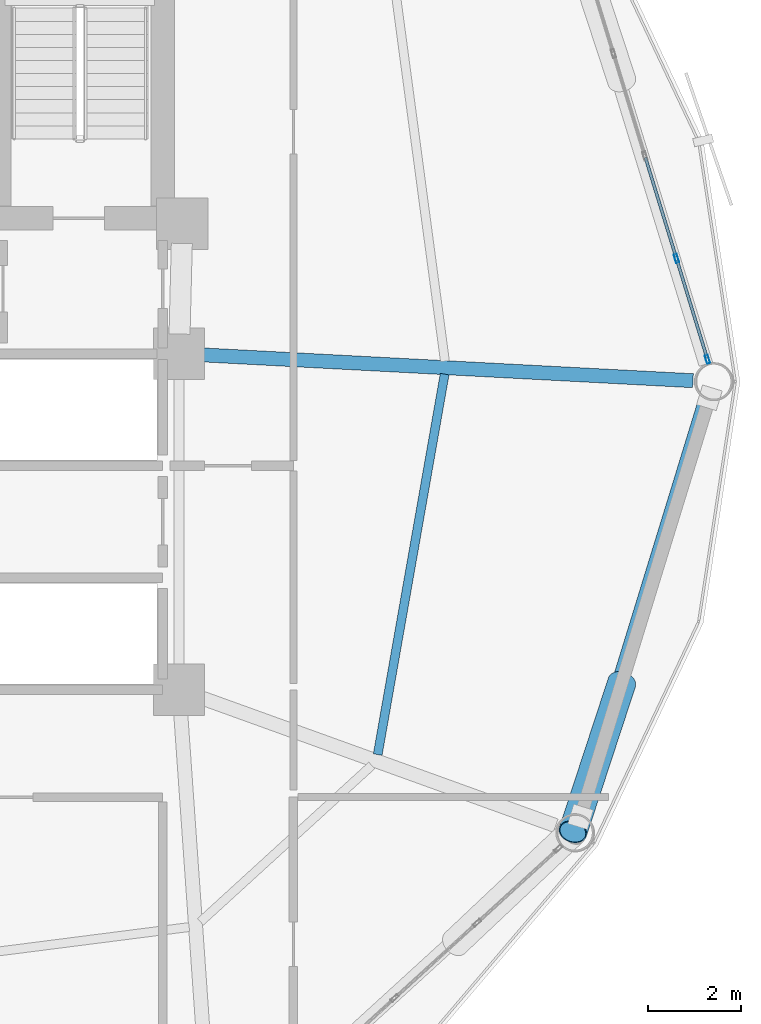
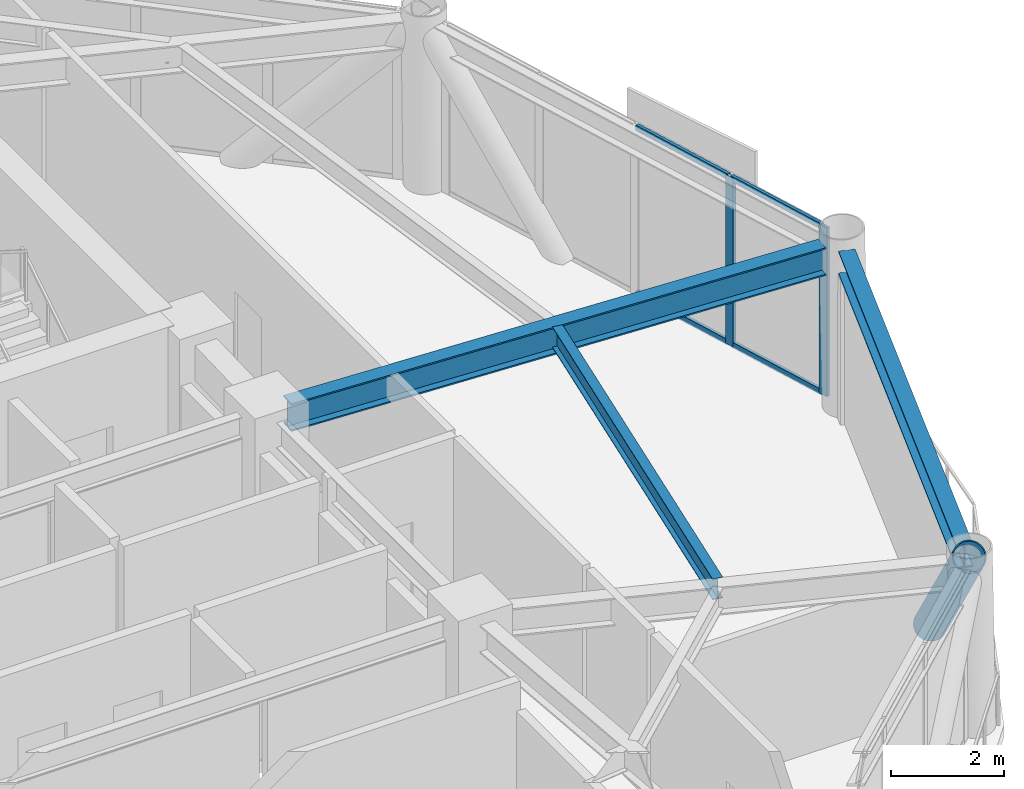
# One storey, part 13 of 24: 7 members, 3 beams, 1 element without a shape of its own.
"""IFC4 building model written with IfcOpenShell, lengths in metres."""

from ifc_helpers import new_model, si_unit, direction, frame, origin, origin_2d, place, context, subcontext, project, spatial, hollow_rectangle, hollow_circle, i_section, extrude, material, layer, layer_set, material_profile, profile_set, type_object, element, aggregate, save


model = new_model("IFC4")

# Units and contexts
model_context = context("Model", 3, precision=1e-05, world=origin(), true_north=direction((0.0, 1.0)))
body_context = subcontext(model_context, "Body", "Model", "MODEL_VIEW")
ifc_project = project(units=[si_unit("LENGTHUNIT", "METRE"), si_unit("AREAUNIT", "SQUARE_METRE"), si_unit("VOLUMEUNIT", "CUBIC_METRE"), si_unit("PLANEANGLEUNIT", "RADIAN"), si_unit("MASSUNIT", "GRAM", prefix="KILO")], contexts=[model_context])

# Site, building, storey
site_placement = place(None, origin())
site = spatial("IfcSite", under=ifc_project, at=site_placement, CompositionType="ELEMENT")
building_placement = place(site_placement, origin())
building = spatial("IfcBuilding", under=site, at=building_placement, Name="Varnakorn Sky Granary", CompositionType="ELEMENT")
storey_placement = place(building_placement, frame((0.0, 0.0, 118.800048828125)))
storey = spatial("IfcBuildingStorey", under=building, at=storey_placement, Name="L29", CompositionType="ELEMENT", Elevation=118.800048828125)

# Beams
ifc_material_1 = material(Name="Steel S355JR", Category="steel")
ifc_material_profile_1 = material_profile(ifc_material_1, i_section(OverallWidth=0.300048828125, OverallDepth=0.60009765625, WebThickness=0.015380859375, FlangeThickness=0.030029296875, at=origin_2d()), Name="HE 600 B")
ifc_profile_set_1 = profile_set([ifc_material_profile_1], Name="Steel S355JR")
beam_type_1 = type_object("IfcBeamType", Name="BM-RAD-Z2", PredefinedType="BEAM", material=ifc_profile_set_1)
beam_1_placement = place(storey_placement, frame((8.769287109375, 0.577880859375, 3.33984375), z_axis=(0.998617702131, -0.05256124989, 0.0), x_axis=(0.05256124989, 0.998617702131, 0.0)))
element("IfcBeam", 1, at=beam_1_placement, inside=storey, type_object=beam_type_1, Name="Radial Floor Girder RG01 L29", PredefinedType="BEAM", context=body_context, shape_type="SweptSolid", body=[
    extrude(i_section(OverallWidth=0.300048828125, OverallDepth=0.60009765625, WebThickness=0.015380859375, FlangeThickness=0.030029296875, at=origin_2d()), origin(), (0.0, 0.0, 1.0), 10.604248046875),
])
ifc_material_profile_2 = material_profile(ifc_material_1, i_section(OverallWidth=0.18994140625, OverallDepth=0.449951171875, WebThickness=0.009521484375, FlangeThickness=0.0146484375, at=origin_2d()), Name="IPE 450")
ifc_profile_set_2 = profile_set([ifc_material_profile_2], Name="Steel S355JR")
beam_type_2 = type_object("IfcBeamType", Name="BM-SEC-Z2", PredefinedType="BEAM", material=ifc_profile_set_2)
beam_2_placement = place(storey_placement, frame((12.605712890625, -7.988525390625, 3.4150390625), z_axis=(0.17330059251, 0.984868978411, 0.0), x_axis=(-0.984868978411, 0.17330059251, 0.0)))
element("IfcBeam", 2, at=beam_2_placement, inside=storey, type_object=beam_type_2, Name="Secondary Floor Chord Beam MSB12 L29", PredefinedType="BEAM", context=body_context, shape_type="SweptSolid", body=[
    extrude(i_section(OverallWidth=0.18994140625, OverallDepth=0.449951171875, WebThickness=0.009521484375, FlangeThickness=0.0146484375, at=origin_2d()), origin(), (0.0, 0.0, 1.0), 8.275146484375),
])
ifc_material_profile_3 = material_profile(ifc_material_1, i_section(OverallWidth=0.300048828125, OverallDepth=0.5, WebThickness=0.014404296875, FlangeThickness=0.028076171875, at=origin_2d()), Name="HE 500 B")
ifc_profile_set_3 = profile_set([ifc_material_profile_3], Name="Steel S355JR")
beam_type_3 = type_object("IfcBeamType", Name="BM-SPD-Z2", PredefinedType="SPANDREL", material=ifc_profile_set_3)
beam_3_placement = place(storey_placement, frame((16.901123046875, -9.268798828125, 3.389892578125), z_axis=(0.293801908991, 0.955866328664, 0.0), x_axis=(-0.955866328664, 0.293801908991, 0.0)))
element("IfcBeam", 3, at=beam_3_placement, inside=storey, type_object=beam_type_3, Name="Perimeter Spandrel Ring Beam RB12 L29", PredefinedType="SPANDREL", context=body_context, shape_type="SweptSolid", body=[
    extrude(i_section(OverallWidth=0.300048828125, OverallDepth=0.5, WebThickness=0.014404296875, FlangeThickness=0.028076171875, at=origin_2d()), origin(), (0.0, 0.0, 1.0), 9.30517578125),
])

# Curtain wall, members
ifc_material_2 = material(Name="Anodised Bronze Aluminium Alloy 6063-T6", Category="aluminium")
ifc_layer = layer(ifc_material_2, 0.179931640625, Name="Anodised Bronze Aluminium Alloy 6063-T6")
ifc_layer_set = layer_set([ifc_layer], Name="Anodised Bronze Aluminium Alloy 6063-T6")
curtain_wall_type = type_object("IfcCurtainWallType", Name="CW-FRM-2", PredefinedType="USERDEFINED", material=ifc_layer_set)
curtain_wall_placement = place(storey_placement, origin())
curtain_wall = element("IfcCurtainWall", 4, at=curtain_wall_placement, inside=storey, type_object=curtain_wall_type, Name="Unitised Curtain Wall CW4 CW-L29-B01", ObjectType="CURTAIN WALL", PredefinedType="USERDEFINED")
ifc_material_profile_4 = material_profile(ifc_material_2, hollow_rectangle(XDim=0.070068359375, YDim=0.18505859375, WallThickness=0.00390625, at=origin_2d()), Name="ALU MULL 70x185")
ifc_profile_set_4 = profile_set([ifc_material_profile_4], Name="Anodised Bronze Aluminium Alloy 6063-T6")
member_type_1 = type_object("IfcMemberType", Name="CW-FRM-2-MULL", PredefinedType="MULLION", material=ifc_profile_set_4)
member_1_placement = place(storey_placement, frame((19.00537109375, 2.6396484375, 0.0), z_axis=(0.0, 0.0, 1.0), x_axis=(0.955823744525, 0.293940418116, 0.0)))
member_1 = element("IfcMember", 5, at=member_1_placement, type_object=member_type_1, Name="CW4 mullion 4", PredefinedType="MULLION", context=body_context, shape_type="SweptSolid", body=[
    extrude(hollow_rectangle(XDim=0.070068359375, YDim=0.18505859375, WallThickness=0.00390625, at=origin_2d()), origin(), (0.0, 0.0, 1.0), 3.639892578125),
])
member_2_placement = place(storey_placement, frame((19.669677734375, 0.479248046875, 0.0), z_axis=(0.0, 0.0, 1.0), x_axis=(0.955823744525, 0.293940418116, 0.0)))
member_2 = element("IfcMember", 6, at=member_2_placement, type_object=member_type_1, Name="CW4 mullion 5", PredefinedType="MULLION", context=body_context, shape_type="SweptSolid", body=[
    extrude(hollow_rectangle(XDim=0.070068359375, YDim=0.18505859375, WallThickness=0.00390625, at=origin_2d()), origin(), (0.0, 0.0, 1.0), 3.639892578125),
])
ifc_material_profile_5 = material_profile(ifc_material_2, hollow_rectangle(XDim=0.06494140625, YDim=0.1201171875, WallThickness=0.00341796875, at=origin_2d()), Name="ALU TRAN 65x120")
ifc_profile_set_5 = profile_set([ifc_material_profile_5], Name="Anodised Bronze Aluminium Alloy 6063-T6")
member_type_2 = type_object("IfcMemberType", Name="CW-FRM-2-TRAN", PredefinedType="USERDEFINED", material=ifc_profile_set_5)
member_3_placement = place(storey_placement, frame((18.3408203125, 4.800048828125, 0.032470703125), z_axis=(0.293923942262, -0.955828811119, 0.0), x_axis=(0.955828811119, 0.293923942262, 0.0)))
member_3 = element("IfcMember", 7, at=member_3_placement, type_object=member_type_2, Name="CW4 transom 3.1", ObjectType="TRANSOM", PredefinedType="USERDEFINED", context=body_context, shape_type="SweptSolid", body=[
    extrude(hollow_rectangle(XDim=0.06494140625, YDim=0.1201171875, WallThickness=0.00341796875, at=origin_2d()), origin(), (0.0, 0.0, 1.0), 2.225341796875),
])
member_4_placement = place(storey_placement, frame((18.3408203125, 4.800048828125, 3.607421875), z_axis=(0.293923942262, -0.955828811119, 0.0), x_axis=(0.955828811119, 0.293923942262, 0.0)))
member_4 = element("IfcMember", 8, at=member_4_placement, type_object=member_type_2, Name="CW4 transom 3.2", ObjectType="TRANSOM", PredefinedType="USERDEFINED", context=body_context, shape_type="SweptSolid", body=[
    extrude(hollow_rectangle(XDim=0.06494140625, YDim=0.1201171875, WallThickness=0.00341796875, at=origin_2d()), origin(), (0.0, 0.0, 1.0), 2.225341796875),
])
member_5_placement = place(storey_placement, frame((19.015625, 2.606201171875, 0.032470703125), z_axis=(0.293937022502, -0.955824788757, 0.0), x_axis=(0.955824788757, 0.293937022502, 0.0)))
member_5 = element("IfcMember", 9, at=member_5_placement, type_object=member_type_2, Name="CW4 transom 4.1", ObjectType="TRANSOM", PredefinedType="USERDEFINED", context=body_context, shape_type="SweptSolid", body=[
    extrude(hollow_rectangle(XDim=0.06494140625, YDim=0.1201171875, WallThickness=0.00341796875, at=origin_2d()), origin(), (0.0, 0.0, 1.0), 2.190185546875),
])
member_6_placement = place(storey_placement, frame((19.015625, 2.606201171875, 3.607421875), z_axis=(0.293937022502, -0.955824788757, 0.0), x_axis=(0.955824788757, 0.293937022502, 0.0)))
member_6 = element("IfcMember", 10, at=member_6_placement, type_object=member_type_2, Name="CW4 transom 4.2", ObjectType="TRANSOM", PredefinedType="USERDEFINED", context=body_context, shape_type="SweptSolid", body=[
    extrude(hollow_rectangle(XDim=0.06494140625, YDim=0.1201171875, WallThickness=0.00341796875, at=origin_2d()), origin(), (0.0, 0.0, 1.0), 2.190185546875),
])
aggregate(curtain_wall, [member_1, member_2, member_3, member_4, member_5, member_6])

# Member
ifc_material_3 = material(Name="Steel S460M", Category="steel")
ifc_material_profile_6 = material_profile(ifc_material_3, hollow_circle(Radius=0.304931640625, WallThickness=0.022216796875, at=origin_2d()), Name="CHS 610x22")
ifc_profile_set_6 = profile_set([ifc_material_profile_6], Name="Steel S460M")
member_type_3 = type_object("IfcMemberType", Name="MB-DIAG-T1", PredefinedType="BRACE", material=ifc_profile_set_6)
member_7_placement = place(storey_placement, frame((17.835205078125, -6.444580078125, -0.130126953125), z_axis=(-0.207568610593, -0.632849980773, 0.745933089313), x_axis=(0.950195391802, -0.311654804868, 0.0)))
element("IfcMember", 11, at=member_7_placement, inside=storey, type_object=member_type_3, Name="Perimeter CHS Diagrid Brace DG12 L29", PredefinedType="BRACE", context=body_context, shape_type="SweptSolid", body=[
    extrude(hollow_circle(Radius=0.304931640625, WallThickness=0.022216796875, at=origin_2d()), origin(), (0.0, 0.0, 1.0), 5.05419921875),
])

save(model, "model.ifc")
